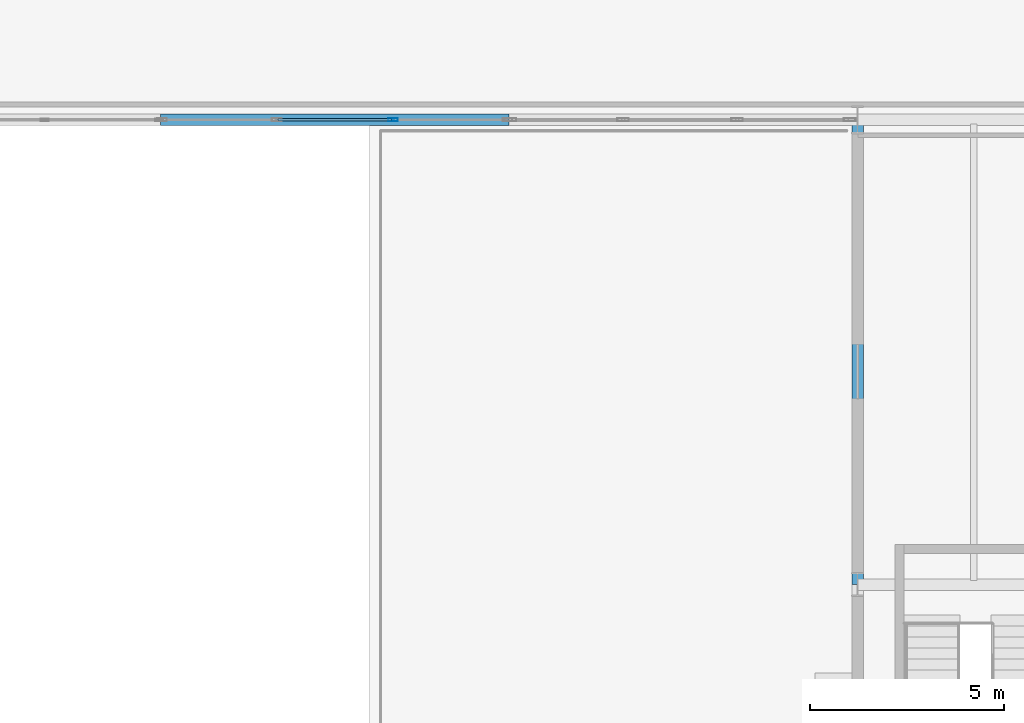
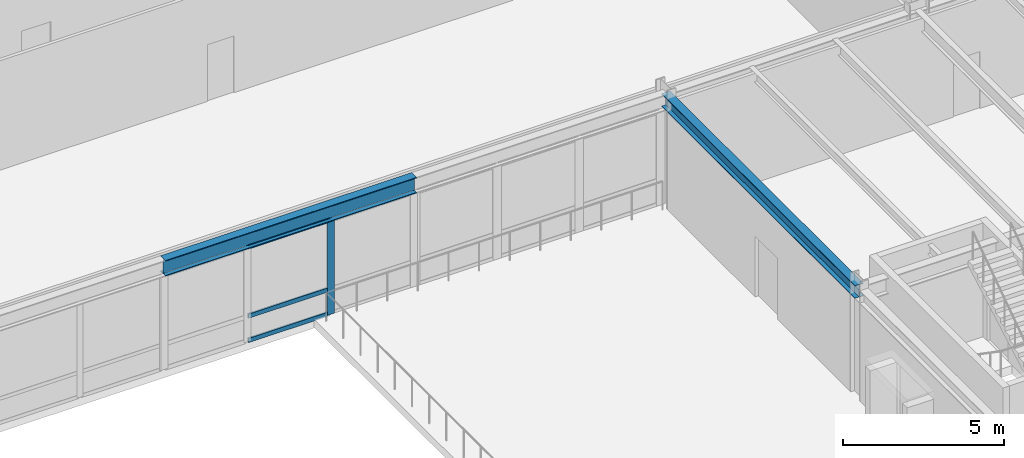
# One storey, part 12 of 142: 4 members, 2 beams, 1 element without a shape of its own.
"""IFC4 building model written with IfcOpenShell, lengths in metres."""

from ifc_helpers import new_model, si_unit, direction, frame, origin, origin_2d, place, context, subcontext, project, spatial, hollow_rectangle, i_section, extrude, material, layer, layer_set, material_profile, profile_set, type_object, element, aggregate, save


model = new_model("IFC4")

# Units and contexts
model_context = context("Model", 3, precision=1e-05, world=origin(), true_north=direction((0.0, 1.0)))
body_context = subcontext(model_context, "Body", "Model", "MODEL_VIEW")
ifc_project = project(units=[si_unit("LENGTHUNIT", "METRE"), si_unit("AREAUNIT", "SQUARE_METRE"), si_unit("VOLUMEUNIT", "CUBIC_METRE"), si_unit("PLANEANGLEUNIT", "RADIAN"), si_unit("MASSUNIT", "GRAM", prefix="KILO")], contexts=[model_context])

# Site, building, storey
site_placement = place(None, origin())
site = spatial("IfcSite", under=ifc_project, at=site_placement, CompositionType="ELEMENT")
building_placement = place(site_placement, origin())
building = spatial("IfcBuilding", under=site, at=building_placement, Name="Montelvaro Courts of Justice", CompositionType="ELEMENT")
storey_placement = place(building_placement, frame((0.0, 0.0, 14.39990234375)))
storey = spatial("IfcBuildingStorey", under=building, at=storey_placement, Name="L03", CompositionType="ELEMENT", Elevation=14.39990234375)

# Beams
ifc_material_1 = material(Name="Steel S355", Category="steel")
ifc_material_profile_1 = material_profile(ifc_material_1, i_section(OverallWidth=0.300048828125, OverallDepth=0.489990234375, WebThickness=0.011962890625, FlangeThickness=0.02294921875, at=origin_2d()), Name="HEA 500")
ifc_profile_set_1 = profile_set([ifc_material_profile_1], Name="Steel S355")
beam_type_1 = type_object("IfcBeamType", Name="Beam_HEA500", PredefinedType="USERDEFINED", material=ifc_profile_set_1)
beam_1_placement = place(storey_placement, frame((45.0, 12.0, 3.93505859375), z_axis=(0.0, 1.0, 0.0), x_axis=(-1.0, 0.0, 0.0)))
element("IfcBeam", 1, at=beam_1_placement, inside=storey, type_object=beam_type_1, Name="Beam B-19 L03", ObjectType="GIRDER", PredefinedType="USERDEFINED", context=body_context, shape_type="SweptSolid", body=[
    extrude(i_section(OverallWidth=0.300048828125, OverallDepth=0.489990234375, WebThickness=0.011962890625, FlangeThickness=0.02294921875, at=origin_2d()), origin(), (0.0, 0.0, 1.0), 12.0),
])
ifc_material_profile_2 = material_profile(ifc_material_1, i_section(OverallWidth=0.300048828125, OverallDepth=0.60009765625, WebThickness=0.015380859375, FlangeThickness=0.030029296875, at=origin_2d()), Name="HEB 600")
ifc_profile_set_2 = profile_set([ifc_material_profile_2], Name="Steel S355")
beam_type_2 = type_object("IfcBeamType", Name="Beam_HEB600", PredefinedType="USERDEFINED", material=ifc_profile_set_2)
beam_2_placement = place(storey_placement, frame((27.0, 24.0, 3.900146484375), z_axis=(1.0, 0.0, 0.0), x_axis=(0.0, 1.0, 0.0)))
element("IfcBeam", 2, at=beam_2_placement, inside=storey, type_object=beam_type_2, Name="V3 Roof Eave Girder", ObjectType="GIRDER", PredefinedType="USERDEFINED", context=body_context, shape_type="SweptSolid", body=[
    extrude(i_section(OverallWidth=0.300048828125, OverallDepth=0.60009765625, WebThickness=0.015380859375, FlangeThickness=0.030029296875, at=origin_2d()), origin(), (0.0, 0.0, 1.0), 9.0),
])

# Curtain wall, members
ifc_material_2 = material(Name="Anodised aluminium EN AW-6063", Category="aluminium")
ifc_layer = layer(ifc_material_2, 0.159912109375)
ifc_layer_set = layer_set([ifc_layer], Name="Anodised aluminium EN AW-6063")
curtain_wall_type = type_object("IfcCurtainWallType", Name="CurtainWall_31_900x418", PredefinedType="USERDEFINED", material=ifc_layer_set)
curtain_wall_placement = place(storey_placement, origin())
curtain_wall = element("IfcCurtainWall", 3, at=curtain_wall_placement, inside=storey, type_object=curtain_wall_type, Name="Curtain Wall CW-31 (L03)", ObjectType="CURTAIN WALL", PredefinedType="USERDEFINED")
ifc_material_profile_3 = material_profile(ifc_material_2, hollow_rectangle(XDim=0.074951171875, YDim=0.25, WallThickness=0.005615234375, at=origin_2d()), Name="ALU-M 75x250")
ifc_profile_set_3 = profile_set([ifc_material_profile_3], Name="Anodised aluminium EN AW-6063")
member_type_1 = type_object("IfcMemberType", Name="CurtainWall_Mullion_75x250", PredefinedType="MULLION", material=ifc_profile_set_3)
member_1_placement = place(storey_placement, frame((33.0, 24.0, 0.0), z_axis=(0.0, 0.0, 1.0), x_axis=(0.0, 1.0, 0.0)))
member_1 = element("IfcMember", 4, at=member_1_placement, type_object=member_type_1, Name="CW-31 mullion 3", PredefinedType="MULLION", context=body_context, shape_type="SweptSolid", body=[
    extrude(hollow_rectangle(XDim=0.074951171875, YDim=0.25, WallThickness=0.005615234375, at=origin_2d()), origin(), (0.0, 0.0, 1.0), 3.59521484375),
])
ifc_material_profile_4 = material_profile(ifc_material_2, hollow_rectangle(XDim=0.06005859375, YDim=0.159912109375, WallThickness=0.00439453125, at=origin_2d()), Name="ALU-T 60x160")
ifc_profile_set_4 = profile_set([ifc_material_profile_4], Name="Anodised aluminium EN AW-6063")
member_type_2 = type_object("IfcMemberType", Name="CurtainWall_Transom_60x160", PredefinedType="USERDEFINED", material=ifc_profile_set_4)
member_2_placement = place(storey_placement, frame((30.03759765625, 24.0, 0.030029296875), z_axis=(1.0, 0.0, 0.0), x_axis=(0.0, 1.0, 0.0)))
member_2 = element("IfcMember", 5, at=member_2_placement, type_object=member_type_2, Name="CW-31 transom 2.1", ObjectType="TRANSOM", PredefinedType="USERDEFINED", context=body_context, shape_type="SweptSolid", body=[
    extrude(hollow_rectangle(XDim=0.06005859375, YDim=0.159912109375, WallThickness=0.00439453125, at=origin_2d()), origin(), (0.0, 0.0, 1.0), 2.9248046875),
])
member_3_placement = place(storey_placement, frame((30.03759765625, 24.0, 0.9501953125), z_axis=(1.0, 0.0, 0.0), x_axis=(0.0, 1.0, 0.0)))
member_3 = element("IfcMember", 6, at=member_3_placement, type_object=member_type_2, Name="CW-31 transom 2.2", ObjectType="TRANSOM", PredefinedType="USERDEFINED", context=body_context, shape_type="SweptSolid", body=[
    extrude(hollow_rectangle(XDim=0.06005859375, YDim=0.159912109375, WallThickness=0.00439453125, at=origin_2d()), origin(), (0.0, 0.0, 1.0), 2.9248046875),
])
member_4_placement = place(storey_placement, frame((30.03759765625, 24.0, 3.565185546875), z_axis=(1.0, 0.0, 0.0), x_axis=(0.0, 1.0, 0.0)))
member_4 = element("IfcMember", 7, at=member_4_placement, type_object=member_type_2, Name="CW-31 transom 2.3", ObjectType="TRANSOM", PredefinedType="USERDEFINED", context=body_context, shape_type="SweptSolid", body=[
    extrude(hollow_rectangle(XDim=0.06005859375, YDim=0.159912109375, WallThickness=0.00439453125, at=origin_2d()), origin(), (0.0, 0.0, 1.0), 2.9248046875),
])
aggregate(curtain_wall, [member_1, member_2, member_3, member_4])

save(model, "model.ifc")
